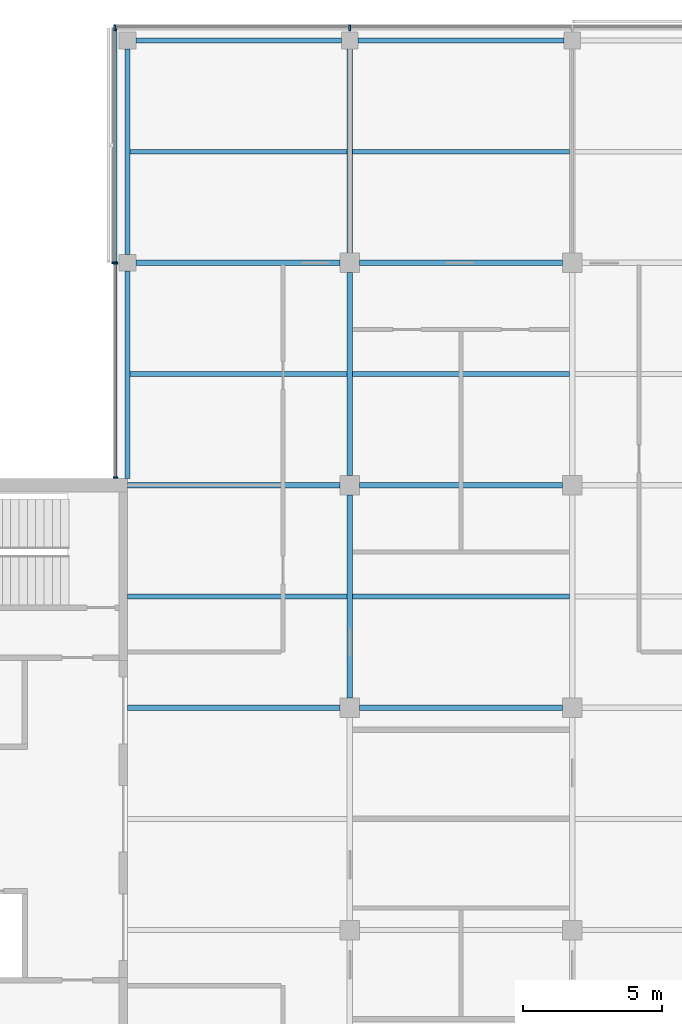
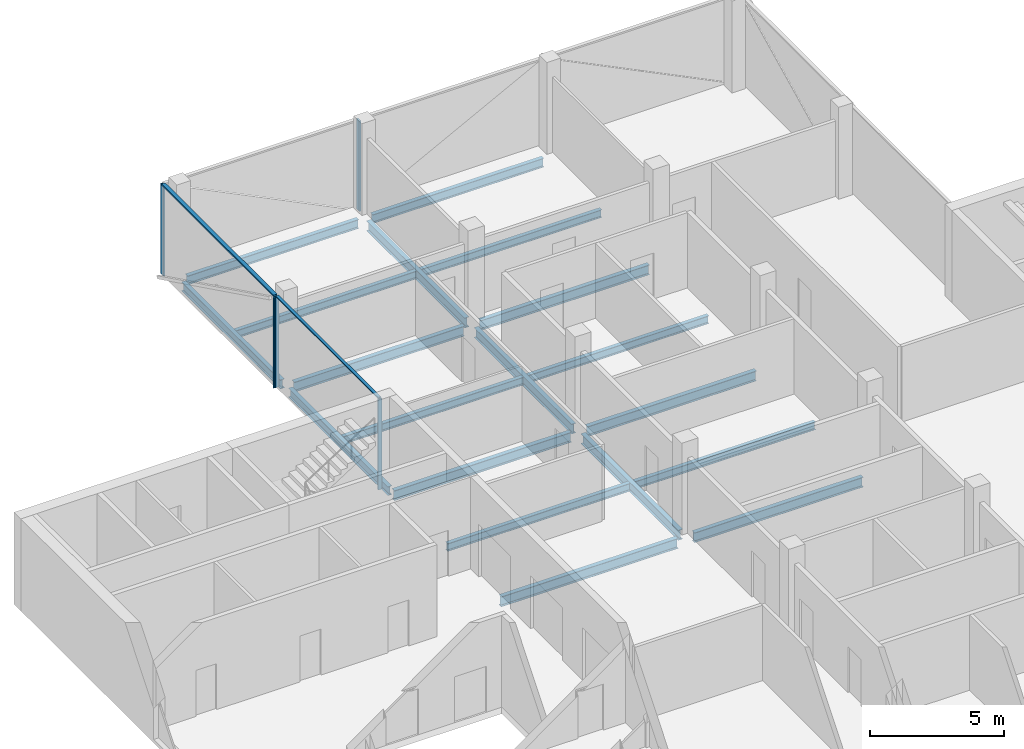
# One storey, part 5 of 16: 19 beams, 7 members, 3 elements without a shape of their own.
"""IFC4 building model written with IfcOpenShell, lengths in metres."""

from ifc_helpers import new_model, si_unit, direction, frame, origin, origin_2d, place, context, subcontext, project, spatial, rectangle, i_section, extrude, material, material_profile, profile_set, type_object, element, aggregate, save


model = new_model("IFC4")

# Units and contexts
model_context = context("Model", 3, precision=1e-05, world=origin(), true_north=direction((0.0, 1.0)))
body_context = subcontext(model_context, "Body", "Model", "MODEL_VIEW")
ifc_project = project(units=[si_unit("LENGTHUNIT", "METRE"), si_unit("AREAUNIT", "SQUARE_METRE"), si_unit("VOLUMEUNIT", "CUBIC_METRE"), si_unit("PLANEANGLEUNIT", "RADIAN"), si_unit("MASSUNIT", "GRAM", prefix="KILO")], contexts=[model_context])

# Site, building, storey
site_placement = place(None, origin())
site = spatial("IfcSite", under=ifc_project, at=site_placement, CompositionType="ELEMENT")
building_placement = place(site_placement, origin())
building = spatial("IfcBuilding", under=site, at=building_placement, Name="Crosswind Convention Tower", CompositionType="ELEMENT")
storey_placement = place(building_placement, frame((0.0, 0.0, 249.300048828125)))
storey = spatial("IfcBuildingStorey", under=building, at=storey_placement, Name="L53", CompositionType="ELEMENT", Elevation=249.300048828125)

# Beams
ifc_material_1 = material(Name="Steel S355", Category="steel")
ifc_material_profile_1 = material_profile(ifc_material_1, i_section(OverallWidth=0.177734375, OverallDepth=0.406494140625, WebThickness=0.0078125, FlangeThickness=0.0126953125, FilletRadius=0.01025390625, at=origin_2d()), Name="UB 406x178x60")
ifc_profile_set_1 = profile_set([ifc_material_profile_1], Name="Steel S355")
beam_type_1 = type_object("IfcBeamType", Name="Edge beam UB 406x178x60", PredefinedType="SPANDREL", material=ifc_profile_set_1)
beam_1_placement = place(storey_placement, frame((113.0, 112.25, -0.503173828125), z_axis=(0.0, 1.0, 0.0), x_axis=(-1.0, 0.0, 0.0)))
element("IfcBeam", 1, at=beam_1_placement, inside=storey, type_object=beam_type_1, Name="B15 L53 edge beam 3", PredefinedType="SPANDREL", context=body_context, shape_type="SweptSolid", body=[
    extrude(i_section(OverallWidth=0.177734375, OverallDepth=0.406494140625, WebThickness=0.0078125, FlangeThickness=0.0126953125, FilletRadius=0.01025390625, at=origin_2d()), origin(), (0.0, 0.0, 1.0), 7.449951171875),
])
for number, where, z_axis, x_axis, name in (
    (2, (113.0, 120.300048828125, -0.503173828125), (0.0, 1.0, 0.0), (-1.0, 0.0, 0.0), "B15 L53 edge beam 4"),
    (3, (113.300048828125, 128.0, -0.503173828125), (1.0, 0.0, 0.0), (0.0, 1.0, 0.0), "B15 L53 edge beam 6"),
    (4, (121.300048828125, 128.0, -0.503173828125), (1.0, 0.0, 0.0), (0.0, 1.0, 0.0), "B15 L53 edge beam 8"),
):
    element("IfcBeam", number, at=place(storey_placement, frame(where, z_axis=z_axis, x_axis=x_axis)), inside=storey, type_object=beam_type_1, Name=name, PredefinedType="SPANDREL", context=body_context, shape_type="SweptSolid", body=[
        extrude(i_section(OverallWidth=0.177734375, OverallDepth=0.406494140625, WebThickness=0.0078125, FlangeThickness=0.0126953125, FilletRadius=0.01025390625, at=origin_2d()), origin(), (0.0, 0.0, 1.0), 7.39990234375),
    ])
ifc_material_profile_2 = material_profile(ifc_material_1, i_section(OverallWidth=0.18994140625, OverallDepth=0.45361328125, WebThickness=0.008544921875, FlangeThickness=0.0126953125, FilletRadius=0.01025390625, at=origin_2d()), Name="UB 457x191x67")
ifc_profile_set_2 = profile_set([ifc_material_profile_2], Name="Steel S355")
beam_type_2 = type_object("IfcBeamType", Name="Girder UB 457x191x67", PredefinedType="BEAM", material=ifc_profile_set_2)
beam_2_placement = place(storey_placement, frame((113.300048828125, 120.0, -0.52685546875), z_axis=(1.0, 0.0, 0.0), x_axis=(0.0, 1.0, 0.0)))
element("IfcBeam", 5, at=beam_2_placement, inside=storey, type_object=beam_type_2, Name="B1 L53 girder 2", PredefinedType="BEAM", context=body_context, shape_type="SweptSolid", body=[
    extrude(i_section(OverallWidth=0.18994140625, OverallDepth=0.45361328125, WebThickness=0.008544921875, FlangeThickness=0.0126953125, FilletRadius=0.01025390625, at=origin_2d()), origin(), (0.0, 0.0, 1.0), 7.349853515625),
])
for number, where, z_axis, x_axis, name in (
    (6, (121.0, 104.35009765625, -0.52685546875), (0.0, 1.0, 0.0), (-1.0, 0.0, 0.0), "B1 L53 girder 7"),
    (7, (121.0, 112.35009765625, -0.52685546875), (0.0, 1.0, 0.0), (-1.0, 0.0, 0.0), "B1 L53 girder 8"),
):
    element("IfcBeam", number, at=place(storey_placement, frame(where, z_axis=z_axis, x_axis=x_axis)), inside=storey, type_object=beam_type_2, Name=name, PredefinedType="BEAM", context=body_context, shape_type="SweptSolid", body=[
        extrude(i_section(OverallWidth=0.18994140625, OverallDepth=0.45361328125, WebThickness=0.008544921875, FlangeThickness=0.0126953125, FilletRadius=0.01025390625, at=origin_2d()), origin(), (0.0, 0.0, 1.0), 7.2998046875),
    ])
beam_3_placement = place(storey_placement, frame((121.0, 120.35009765625, -0.52685546875), z_axis=(0.0, 1.0, 0.0), x_axis=(-1.0, 0.0, 0.0)))
element("IfcBeam", 8, at=beam_3_placement, inside=storey, type_object=beam_type_2, Name="B1 L53 girder 9", PredefinedType="BEAM", context=body_context, shape_type="SweptSolid", body=[
    extrude(i_section(OverallWidth=0.18994140625, OverallDepth=0.45361328125, WebThickness=0.008544921875, FlangeThickness=0.0126953125, FilletRadius=0.01025390625, at=origin_2d()), origin(), (0.0, 0.0, 1.0), 7.349853515625),
])
for number, where, z_axis, x_axis, name in (
    (9, (121.35009765625, 104.0, -0.52685546875), (1.0, 0.0, 0.0), (0.0, 1.0, 0.0), "B1 L53 girder 13"),
    (10, (121.35009765625, 112.0, -0.52685546875), (1.0, 0.0, 0.0), (0.0, 1.0, 0.0), "B1 L53 girder 14"),
    (11, (121.35009765625, 120.0, -0.52685546875), (1.0, 0.0, 0.0), (0.0, 1.0, 0.0), "B1 L53 girder 15"),
):
    element("IfcBeam", number, at=place(storey_placement, frame(where, z_axis=z_axis, x_axis=x_axis)), inside=storey, type_object=beam_type_2, Name=name, PredefinedType="BEAM", context=body_context, shape_type="SweptSolid", body=[
        extrude(i_section(OverallWidth=0.18994140625, OverallDepth=0.45361328125, WebThickness=0.008544921875, FlangeThickness=0.0126953125, FilletRadius=0.01025390625, at=origin_2d()), origin(), (0.0, 0.0, 1.0), 7.2998046875),
    ])
ifc_material_profile_3 = material_profile(ifc_material_1, i_section(OverallWidth=0.1904296875, OverallDepth=0.457275390625, WebThickness=0.009033203125, FlangeThickness=0.014404296875, FilletRadius=0.01025390625, at=origin_2d()), Name="UB 457x191x75")
ifc_profile_set_3 = profile_set([ifc_material_profile_3], Name="Steel S355")
beam_type_3 = type_object("IfcBeamType", Name="Girder at core wall UB 457x191x75", PredefinedType="BEAM", material=ifc_profile_set_3)
for number, where, z_axis, x_axis, name in (
    (12, (113.0, 104.0, -0.528564453125), (1.0, 0.0, 0.0), (0.0, 1.0, 0.0), "B22 L53 girder at core wall 3"),
    (13, (113.0, 112.0, -0.528564453125), (1.0, 0.0, 0.0), (0.0, 1.0, 0.0), "B22 L53 girder at core wall 4"),
):
    element("IfcBeam", number, at=place(storey_placement, frame(where, z_axis=z_axis, x_axis=x_axis)), inside=storey, type_object=beam_type_3, Name=name, PredefinedType="BEAM", context=body_context, shape_type="SweptSolid", body=[
        extrude(i_section(OverallWidth=0.1904296875, OverallDepth=0.457275390625, WebThickness=0.009033203125, FlangeThickness=0.014404296875, FilletRadius=0.01025390625, at=origin_2d()), origin(), (0.0, 0.0, 1.0), 7.64990234375),
    ])

# Curtain wall, members
ifc_material_2 = material(Name="Aluminium unitised curtain wall", Category="aluminium")
curtain_wall_type_1 = type_object("IfcCurtainWallType", Name="CORE END SLOT WALL 160", PredefinedType="USERDEFINED", material=ifc_material_2)
curtain_wall_1_placement = place(storey_placement, origin())
curtain_wall_1 = element("IfcCurtainWall", 14, at=curtain_wall_1_placement, inside=storey, type_object=curtain_wall_type_1, Name="CW6 L53 N-W.1-2 slot", ObjectType="UNITISED", PredefinedType="USERDEFINED")
ifc_material_3 = material(Name="Aluminium mullion", Category="aluminium")
ifc_material_profile_4 = material_profile(ifc_material_3, rectangle(XDim=0.159912109375, YDim=0.050048828125, at=origin_2d()), Name="AL 160X50")
ifc_profile_set_4 = profile_set([ifc_material_profile_4], Name="Aluminium mullion")
member_type_1 = type_object("IfcMemberType", Name="MULLION 50X160", PredefinedType="MULLION", material=ifc_profile_set_4)
member_1_placement = place(storey_placement, frame((112.570068359375, 119.97509765625, -0.300048828125), z_axis=(0.0, 0.0, 1.0), x_axis=(-1.0, 0.0, 0.0)))
member_1 = element("IfcMember", 15, at=member_1_placement, type_object=member_type_1, Name="CW6 mullion 1", PredefinedType="MULLION", context=body_context, shape_type="SweptSolid", body=[
    extrude(rectangle(XDim=0.159912109375, YDim=0.050048828125, at=origin_2d()), origin(), (0.0, 0.0, 1.0), 4.14990234375),
])
member_2_placement = place(storey_placement, frame((112.570068359375, 112.27490234375, -0.300048828125), z_axis=(0.0, 0.0, 1.0), x_axis=(-1.0, 0.0, 0.0)))
member_2 = element("IfcMember", 16, at=member_2_placement, type_object=member_type_1, Name="CW6 mullion 2", PredefinedType="MULLION", context=body_context, shape_type="SweptSolid", body=[
    extrude(rectangle(XDim=0.159912109375, YDim=0.050048828125, at=origin_2d()), origin(), (0.0, 0.0, 1.0), 4.14990234375),
])

curtain_wall_type_2 = type_object("IfcCurtainWallType", Name="OFFICE UNITISED WALL 220", PredefinedType="USERDEFINED", material=ifc_material_2)
curtain_wall_2_placement = place(storey_placement, origin())
curtain_wall_2 = element("IfcCurtainWall", 17, at=curtain_wall_2_placement, inside=storey, type_object=curtain_wall_type_2, Name="CW3 L53 N-TIP 1", ObjectType="UNITISED", PredefinedType="USERDEFINED")
ifc_material_profile_5 = material_profile(ifc_material_3, rectangle(XDim=0.219970703125, YDim=0.070068359375, at=origin_2d()), Name="AL 220X70")
ifc_profile_set_5 = profile_set([ifc_material_profile_5], Name="Aluminium mullion")
member_type_2 = type_object("IfcMemberType", Name="MULLION 70X220", PredefinedType="MULLION", material=ifc_profile_set_5)
member_3_placement = place(storey_placement, frame((121.0, 128.4599609375, -0.300048828125), z_axis=(0.0, 0.0, 1.0), x_axis=(0.0, 1.0, 0.0)))
member_3 = element("IfcMember", 18, at=member_3_placement, type_object=member_type_2, Name="CW3 mullion 3", PredefinedType="MULLION", context=body_context, shape_type="SweptSolid", body=[
    extrude(rectangle(XDim=0.219970703125, YDim=0.070068359375, at=origin_2d()), origin(), (0.0, 0.0, 1.0), 4.1298828125),
])
member_4_placement = place(storey_placement, frame((112.5400390625, 128.4599609375, -0.300048828125), z_axis=(0.0, 0.0, 1.0), x_axis=(0.0, 1.0, 0.0)))
member_4 = element("IfcMember", 19, at=member_4_placement, type_object=member_type_2, Name="CW3 mullion 4", PredefinedType="MULLION", context=body_context, shape_type="SweptSolid", body=[
    extrude(rectangle(XDim=0.219970703125, YDim=0.070068359375, at=origin_2d()), origin(), (0.0, 0.0, 1.0), 4.1298828125),
])
aggregate(curtain_wall_2, [member_3, member_4])

# Curtain wall, member
curtain_wall_3_placement = place(storey_placement, origin())
curtain_wall_3 = element("IfcCurtainWall", 20, at=curtain_wall_3_placement, inside=storey, type_object=curtain_wall_type_2, Name="CW3 L53 N-W 1", ObjectType="UNITISED", PredefinedType="USERDEFINED")
member_5_placement = place(storey_placement, frame((112.5400390625, 120.0, -0.300048828125), z_axis=(0.0, 0.0, 1.0), x_axis=(-1.0, 0.0, 0.0)))
member_5 = element("IfcMember", 21, at=member_5_placement, type_object=member_type_2, Name="CW3 mullion 2", PredefinedType="MULLION", context=body_context, shape_type="SweptSolid", body=[
    extrude(rectangle(XDim=0.219970703125, YDim=0.070068359375, at=origin_2d()), origin(), (0.0, 0.0, 1.0), 4.1298828125),
])

# Beams
ifc_material_profile_6 = material_profile(ifc_material_1, i_section(OverallWidth=0.17138671875, OverallDepth=0.355712890625, WebThickness=0.00732421875, FlangeThickness=0.011474609375, FilletRadius=0.01025390625, at=origin_2d()), Name="UB 356x171x51")
ifc_profile_set_6 = profile_set([ifc_material_profile_6], Name="Steel S355")
beam_type_4 = type_object("IfcBeamType", Name="Secondary beam UB 356x171x51", PredefinedType="JOIST", material=ifc_profile_set_6)
beam_4_placement = place(storey_placement, frame((113.0, 108.0, -0.477783203125), z_axis=(1.0, 0.0, 0.0), x_axis=(0.0, 1.0, 0.0)))
element("IfcBeam", 22, at=beam_4_placement, inside=storey, type_object=beam_type_4, Name="B8 L53 secondary beam 3", PredefinedType="JOIST", context=body_context, shape_type="SweptSolid", body=[
    extrude(i_section(OverallWidth=0.17138671875, OverallDepth=0.355712890625, WebThickness=0.00732421875, FlangeThickness=0.011474609375, FilletRadius=0.01025390625, at=origin_2d()), origin(), (0.0, 0.0, 1.0), 7.905029296875),
])
for number, where, z_axis, x_axis, name in (
    (23, (113.0888671875, 116.0, -0.477783203125), (1.0, 0.0, 0.0), (0.0, 1.0, 0.0), "B8 L53 secondary beam 6"),
    (24, (113.0888671875, 124.0, -0.477783203125), (1.0, 0.0, 0.0), (0.0, 1.0, 0.0), "B8 L53 secondary beam 7"),
):
    element("IfcBeam", number, at=place(storey_placement, frame(where, z_axis=z_axis, x_axis=x_axis)), inside=storey, type_object=beam_type_4, Name=name, PredefinedType="JOIST", context=body_context, shape_type="SweptSolid", body=[
        extrude(i_section(OverallWidth=0.17138671875, OverallDepth=0.355712890625, WebThickness=0.00732421875, FlangeThickness=0.011474609375, FilletRadius=0.01025390625, at=origin_2d()), origin(), (0.0, 0.0, 1.0), 7.816162109375),
    ])
for number, where, z_axis, x_axis, name in (
    (25, (121.094970703125, 108.0, -0.477783203125), (1.0, 0.0, 0.0), (0.0, 1.0, 0.0), "B8 L53 secondary beam 12"),
    (26, (121.094970703125, 116.0, -0.477783203125), (1.0, 0.0, 0.0), (0.0, 1.0, 0.0), "B8 L53 secondary beam 13"),
    (27, (121.094970703125, 124.0, -0.477783203125), (1.0, 0.0, 0.0), (0.0, 1.0, 0.0), "B8 L53 secondary beam 14"),
):
    element("IfcBeam", number, at=place(storey_placement, frame(where, z_axis=z_axis, x_axis=x_axis)), inside=storey, type_object=beam_type_4, Name=name, PredefinedType="JOIST", context=body_context, shape_type="SweptSolid", body=[
        extrude(i_section(OverallWidth=0.17138671875, OverallDepth=0.355712890625, WebThickness=0.00732421875, FlangeThickness=0.011474609375, FilletRadius=0.01025390625, at=origin_2d()), origin(), (0.0, 0.0, 1.0), 7.81005859375),
    ])

# Member
ifc_material_4 = material(Name="Aluminium transom", Category="aluminium")
ifc_material_profile_7 = material_profile(ifc_material_4, rectangle(XDim=0.1201171875, YDim=0.050048828125, at=origin_2d()), Name="AL 120X50")
ifc_profile_set_7 = profile_set([ifc_material_profile_7], Name="Aluminium transom")
member_type_3 = type_object("IfcMemberType", Name="TRANSOM 50X120", PredefinedType="USERDEFINED", material=ifc_profile_set_7)
member_6_placement = place(storey_placement, frame((112.570068359375, 119.949951171875, 3.875), z_axis=(0.0, -1.0, 0.0), x_axis=(1.0, 0.0, 0.0)))
member_6 = element("IfcMember", 28, at=member_6_placement, type_object=member_type_3, Name="CW6 transom", ObjectType="TRANSOM", PredefinedType="USERDEFINED", context=body_context, shape_type="SweptSolid", body=[
    extrude(rectangle(XDim=0.1201171875, YDim=0.050048828125, at=origin_2d()), origin(), (0.0, 0.0, 1.0), 7.64990234375),
])

aggregate(curtain_wall_1, [member_1, member_2, member_6])

ifc_material_profile_8 = material_profile(ifc_material_4, rectangle(XDim=0.159912109375, YDim=0.070068359375, at=origin_2d()), Name="AL 160X70")
ifc_profile_set_8 = profile_set([ifc_material_profile_8], Name="Aluminium transom")
member_type_4 = type_object("IfcMemberType", Name="TRANSOM 70X160", PredefinedType="USERDEFINED", material=ifc_profile_set_8)
member_7_placement = place(storey_placement, frame((112.5400390625, 128.425048828125, 3.864990234375), z_axis=(0.0, -1.0, 0.0), x_axis=(1.0, 0.0, 0.0)))
member_7 = element("IfcMember", 29, at=member_7_placement, type_object=member_type_4, Name="CW3 transom", ObjectType="TRANSOM", PredefinedType="USERDEFINED", context=body_context, shape_type="SweptSolid", body=[
    extrude(rectangle(XDim=0.159912109375, YDim=0.070068359375, at=origin_2d()), origin(), (0.0, 0.0, 1.0), 8.39013671875),
])

aggregate(curtain_wall_3, [member_5, member_7])

save(model, "model.ifc")
